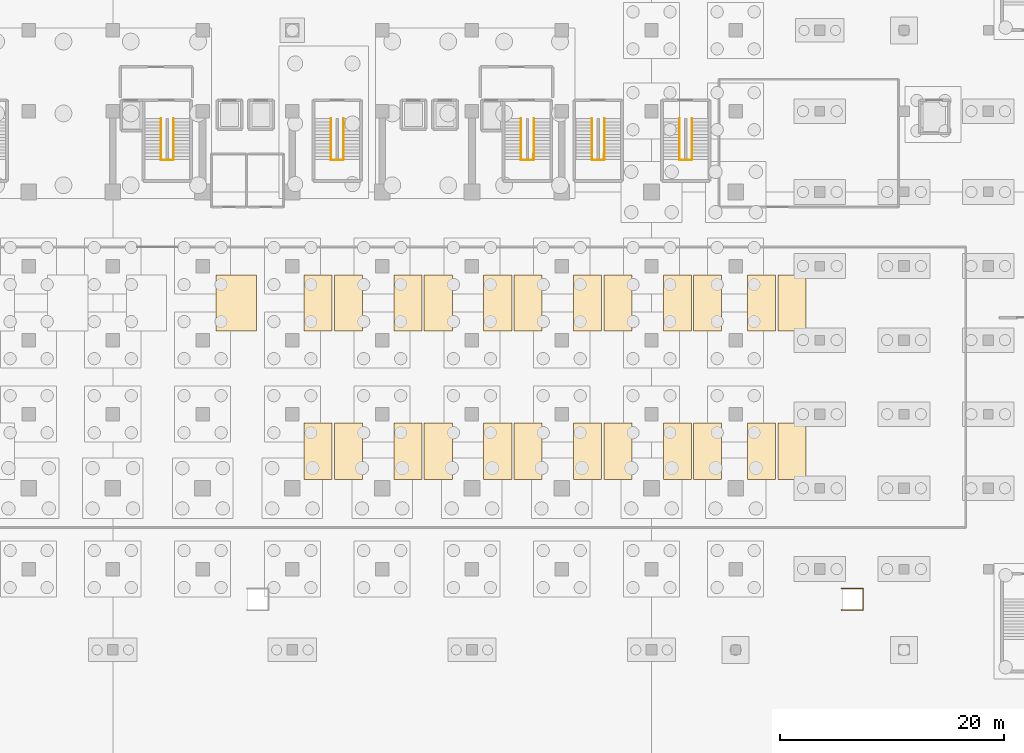
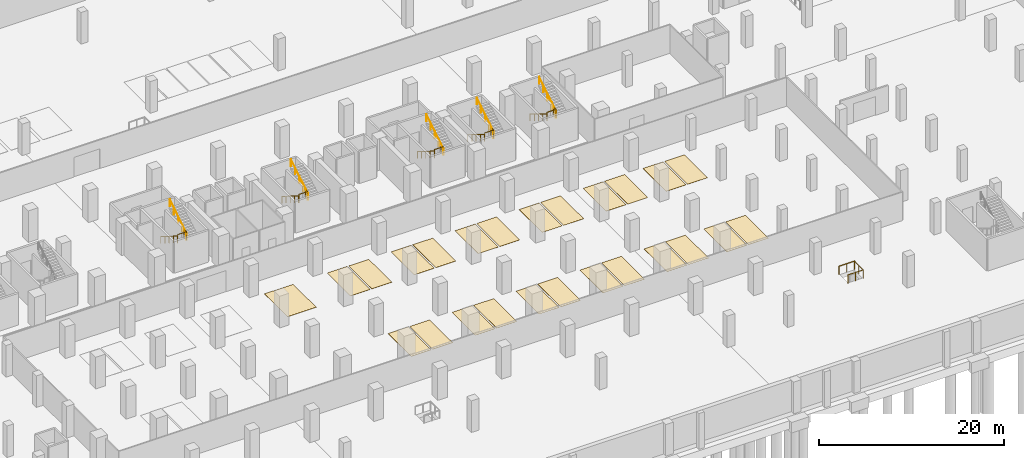
# One storey, part 22 of 26: 25 coverings, 16 railings.
"""IFC4 building model written with IfcOpenShell, lengths in metres."""

from ifc_helpers import new_model, si_unit, direction, frame, origin, origin_2d, place, context, subcontext, project, spatial, rectangle, circle, extrude, material, layer, layer_set, type_object, element, save


model = new_model("IFC4")

# Units and contexts
model_context = context("Model", 3, precision=1e-05, world=origin(), true_north=direction((0.0, 1.0)))
body_context = subcontext(model_context, "Body", "Model", "MODEL_VIEW")
ifc_project = project(units=[si_unit("LENGTHUNIT", "METRE"), si_unit("AREAUNIT", "SQUARE_METRE"), si_unit("VOLUMEUNIT", "CUBIC_METRE"), si_unit("PLANEANGLEUNIT", "RADIAN"), si_unit("MASSUNIT", "GRAM", prefix="KILO")], contexts=[model_context])

# Site, building, storey
site_placement = place(None, origin())
site = spatial("IfcSite", under=ifc_project, at=site_placement, CompositionType="ELEMENT")
building_placement = place(site_placement, origin())
building = spatial("IfcBuilding", under=site, at=building_placement, Name="Akrevak Sports Hall", CompositionType="ELEMENT")
storey_placement = place(building_placement, frame((0.0, 0.0, -9.0)))
storey = spatial("IfcBuildingStorey", under=building, at=storey_placement, Name="B02", CompositionType="ELEMENT", Elevation=-9.0)

# Coverings
ifc_material_1 = material(Name="Slate-Grey Stone Accessible Bay Topping", Category="stone")
ifc_layer_1 = layer(ifc_material_1, 0.014892578125, Name="Slate-Grey Stone Accessible Bay Topping")
ifc_layer_set_1 = layer_set([ifc_layer_1], Name="Slate-Grey Stone Accessible Bay Topping")
covering_type_1 = type_object("IfcCoveringType", Name="ARC-COV-PKBAY-ACC", PredefinedType="FLOORING", material=ifc_layer_set_1)
covering_placement = place(storey_placement, frame((71.0, 45.300048828125, 0.0), z_axis=(0.0, 0.0, 1.0), x_axis=(1.0, 0.0, 0.0)))
element("IfcCovering", 1, at=covering_placement, inside=storey, type_object=covering_type_1, Name="Accessible Parking Bay Marking B02-S03", PredefinedType="FLOORING", context=body_context, shape_type="SweptSolid", body=[
    extrude(rectangle(XDim=3.60009765625, YDim=5.0, at=origin_2d()), origin(), (0.0, 0.0, 1.0), 0.014892578125),
])
ifc_material_2 = material(Name="Polished Terrazzo Bay Topping", Category="stone")
ifc_layer_2 = layer(ifc_material_2, 0.014892578125, Name="Polished Terrazzo Bay Topping")
ifc_layer_set_2 = layer_set([ifc_layer_2], Name="Polished Terrazzo Bay Topping")
covering_type_2 = type_object("IfcCoveringType", Name="ARC-COV-PKBAY-STD", PredefinedType="FLOORING", material=ifc_layer_set_2)
for number, where, z_axis, x_axis, name in (
    (2, (78.300048828125, 32.10009765625, 0.0), (0.0, 0.0, 1.0), (1.0, 0.0, 0.0), "Standard Parking Bay Marking B02-S03"),
    (3, (81.0, 32.10009765625, 0.0), (0.0, 0.0, 1.0), (1.0, 0.0, 0.0), "Standard Parking Bay Marking B02-S04"),
    (4, (86.300048828125, 32.10009765625, 0.0), (0.0, 0.0, 1.0), (1.0, 0.0, 0.0), "Standard Parking Bay Marking B02-S05"),
    (5, (89.0, 32.10009765625, 0.0), (0.0, 0.0, 1.0), (1.0, 0.0, 0.0), "Standard Parking Bay Marking B02-S06"),
    (6, (94.300048828125, 32.10009765625, 0.0), (0.0, 0.0, 1.0), (1.0, 0.0, 0.0), "Standard Parking Bay Marking B02-S07"),
    (7, (97.0, 32.10009765625, 0.0), (0.0, 0.0, 1.0), (1.0, 0.0, 0.0), "Standard Parking Bay Marking B02-S08"),
    (8, (102.300048828125, 32.10009765625, 0.0), (0.0, 0.0, 1.0), (1.0, 0.0, 0.0), "Standard Parking Bay Marking B02-S09"),
    (9, (105.0, 32.10009765625, 0.0), (0.0, 0.0, 1.0), (1.0, 0.0, 0.0), "Standard Parking Bay Marking B02-S10"),
    (10, (110.300048828125, 32.10009765625, 0.0), (0.0, 0.0, 1.0), (1.0, 0.0, 0.0), "Standard Parking Bay Marking B02-S11"),
    (11, (113.0, 32.10009765625, 0.0), (0.0, 0.0, 1.0), (1.0, 0.0, 0.0), "Standard Parking Bay Marking B02-S12"),
    (12, (117.800048828125, 32.10009765625, 0.0), (0.0, 0.0, 1.0), (1.0, 0.0, 0.0), "Standard Parking Bay Marking B02-S13"),
    (13, (120.5, 32.10009765625, 0.0), (0.0, 0.0, 1.0), (1.0, 0.0, 0.0), "Standard Parking Bay Marking B02-S14"),
    (14, (78.300048828125, 45.300048828125, 0.0), (0.0, 0.0, 1.0), (1.0, 0.0, 0.0), "Standard Parking Bay Marking B02-S17"),
    (15, (81.0, 45.300048828125, 0.0), (0.0, 0.0, 1.0), (1.0, 0.0, 0.0), "Standard Parking Bay Marking B02-S18"),
    (16, (86.300048828125, 45.300048828125, 0.0), (0.0, 0.0, 1.0), (1.0, 0.0, 0.0), "Standard Parking Bay Marking B02-S19"),
    (17, (89.0, 45.300048828125, 0.0), (0.0, 0.0, 1.0), (1.0, 0.0, 0.0), "Standard Parking Bay Marking B02-S20"),
    (18, (94.300048828125, 45.300048828125, 0.0), (0.0, 0.0, 1.0), (1.0, 0.0, 0.0), "Standard Parking Bay Marking B02-S21"),
    (19, (97.0, 45.300048828125, 0.0), (0.0, 0.0, 1.0), (1.0, 0.0, 0.0), "Standard Parking Bay Marking B02-S22"),
    (20, (102.300048828125, 45.300048828125, 0.0), (0.0, 0.0, 1.0), (1.0, 0.0, 0.0), "Standard Parking Bay Marking B02-S23"),
    (21, (105.0, 45.300048828125, 0.0), (0.0, 0.0, 1.0), (1.0, 0.0, 0.0), "Standard Parking Bay Marking B02-S24"),
    (22, (110.300048828125, 45.300048828125, 0.0), (0.0, 0.0, 1.0), (1.0, 0.0, 0.0), "Standard Parking Bay Marking B02-S25"),
    (23, (113.0, 45.300048828125, 0.0), (0.0, 0.0, 1.0), (1.0, 0.0, 0.0), "Standard Parking Bay Marking B02-S26"),
    (24, (117.800048828125, 45.300048828125, 0.0), (0.0, 0.0, 1.0), (1.0, 0.0, 0.0), "Standard Parking Bay Marking B02-S27"),
    (25, (120.5, 45.300048828125, 0.0), (0.0, 0.0, 1.0), (1.0, 0.0, 0.0), "Standard Parking Bay Marking B02-S28"),
):
    element("IfcCovering", number, at=place(storey_placement, frame(where, z_axis=z_axis, x_axis=x_axis)), inside=storey, type_object=covering_type_2, Name=name, PredefinedType="FLOORING", context=body_context, shape_type="SweptSolid", body=[
        extrude(rectangle(XDim=2.5, YDim=5.0, at=origin_2d()), origin(), (0.0, 0.0, 1.0), 0.014892578125),
    ])

# Railings
ifc_material_3 = material(Name="Painted Architectural Balustrade Steel", Category="steel")
ifc_layer_3 = layer(ifc_material_3, 0.06005859375, Name="Painted Architectural Balustrade Steel")
ifc_layer_set_3 = layer_set([ifc_layer_3], Name="Painted Architectural Balustrade Steel")
railing_type_1 = type_object("IfcRailingType", Name="ARC-RL-GRD-1120", PredefinedType="GUARDRAIL", material=ifc_layer_set_3)
railing_1_placement = place(storey_placement, frame((64.280029296875, 58.06494140625, 2.25)))
element("IfcRailing", 26, at=railing_1_placement, inside=storey, type_object=railing_type_1, Name="Stair Landing Well Guard ST1-B02-1", PredefinedType="GUARDRAIL", context=body_context, shape_type="SweptSolid", body=[
    extrude(circle(Radius=0.02392578125, at=origin_2d()), frame((0.0, 0.0, 1.09619140625), z_axis=(1.0, 0.0, 0.0), x_axis=(0.0, 1.0, 0.0)), (0.0, 0.0, 1.0), 1.10986328125),
    extrude(circle(Radius=0.02392578125, at=origin_2d()), frame((1.10986328125, 0.0, 1.09619140625), z_axis=(0.0, 1.0, 0.0), x_axis=(-1.0, 0.0, 0.0)), (0.0, 0.0, 1.0), 0.52001953125),
    extrude(circle(Radius=0.02099609375, at=origin_2d()), origin(), (0.0, 0.0, 1.0), 1.072021484375),
    extrude(circle(Radius=0.02099609375, at=origin_2d()), frame((1.10986328125, 0.0, 0.0)), (0.0, 0.0, 1.0), 1.072021484375),
    extrude(circle(Radius=0.02099609375, at=origin_2d()), frame((1.10986328125, 0.52001953125, 0.0)), (0.0, 0.0, 1.0), 1.072021484375),
])
for number, where, name in (
    (27, (96.3798828125, 58.06494140625, 2.25), "Stair Landing Well Guard ST2-B02-1"),
    (28, (79.429931640625, 58.06494140625, 2.25), "Stair Landing Well Guard ST3-B02-1"),
    (29, (102.679931640625, 58.06494140625, 2.25), "Stair Landing Well Guard ST10-B02-1"),
    (30, (110.47998046875, 58.06494140625, 2.25), "Stair Landing Well Guard ST11-B02-1"),
):
    element("IfcRailing", number, at=place(storey_placement, frame(where)), inside=storey, type_object=railing_type_1, Name=name, PredefinedType="GUARDRAIL", context=body_context, shape_type="SweptSolid", body=[
        extrude(circle(Radius=0.02392578125, at=origin_2d()), frame((0.0, 0.0, 1.09619140625), z_axis=(1.0, 0.0, 0.0), x_axis=(0.0, 1.0, 0.0)), (0.0, 0.0, 1.0), 1.110107421875),
        extrude(circle(Radius=0.02392578125, at=origin_2d()), frame((1.110107421875, 0.0, 1.09619140625), z_axis=(0.0, 1.0, 0.0), x_axis=(-1.0, 0.0, 0.0)), (0.0, 0.0, 1.0), 0.52001953125),
        extrude(circle(Radius=0.02099609375, at=origin_2d()), origin(), (0.0, 0.0, 1.0), 1.072021484375),
        extrude(circle(Radius=0.02099609375, at=origin_2d()), frame((1.110107421875, 0.0, 0.0)), (0.0, 0.0, 1.0), 1.072021484375),
        extrude(circle(Radius=0.02099609375, at=origin_2d()), frame((1.110107421875, 0.52001953125, 0.0)), (0.0, 0.0, 1.0), 1.072021484375),
    ])
railing_2_placement = place(storey_placement, frame((124.93994140625, 17.93994140625, 0.0)))
element("IfcRailing", 31, at=railing_2_placement, inside=storey, type_object=railing_type_1, Name="B02 Sump Pit Safety Guardrail 5", PredefinedType="GUARDRAIL", context=body_context, shape_type="SweptSolid", body=[
    extrude(circle(Radius=0.02392578125, at=origin_2d()), frame((0.0, 0.0, 1.09619140625), z_axis=(1.0, 0.0, 0.0), x_axis=(0.0, 1.0, 0.0)), (0.0, 0.0, 1.0), 1.920166015625),
    extrude(circle(Radius=0.02392578125, at=origin_2d()), frame((1.920166015625, 0.0, 1.09619140625), z_axis=(0.0, 1.0, 0.0), x_axis=(-1.0, 0.0, 0.0)), (0.0, 0.0, 1.0), 1.920166015625),
    extrude(circle(Radius=0.02392578125, at=origin_2d()), frame((1.920166015625, 1.920166015625, 1.09619140625), z_axis=(-1.0, 0.0, 0.0), x_axis=(0.0, -1.0, 0.0)), (0.0, 0.0, 1.0), 1.920166015625),
    extrude(circle(Radius=0.02099609375, at=origin_2d()), origin(), (0.0, 0.0, 1.0), 1.072021484375),
    extrude(circle(Radius=0.02099609375, at=origin_2d()), frame((0.9599609375, 0.0, 0.0)), (0.0, 0.0, 1.0), 1.072021484375),
    extrude(circle(Radius=0.02099609375, at=origin_2d()), frame((1.920166015625, 0.0, 0.0)), (0.0, 0.0, 1.0), 1.072021484375),
    extrude(circle(Radius=0.02099609375, at=origin_2d()), frame((1.920166015625, 0.9599609375, 0.0)), (0.0, 0.0, 1.0), 1.072021484375),
    extrude(circle(Radius=0.02099609375, at=origin_2d()), frame((1.920166015625, 1.920166015625, 0.0)), (0.0, 0.0, 1.0), 1.072021484375),
    extrude(circle(Radius=0.02099609375, at=origin_2d()), frame((0.9599609375, 1.920166015625, 0.0)), (0.0, 0.0, 1.0), 1.072021484375),
    extrude(circle(Radius=0.02099609375, at=origin_2d()), frame((0.0, 1.920166015625, 0.0)), (0.0, 0.0, 1.0), 1.072021484375),
])
ifc_material_4 = material(Name="Brushed Stainless Steel 304", Category="steel")
ifc_layer_4 = layer(ifc_material_4, 0.050048828125, Name="Brushed Stainless Steel 304")
ifc_layer_set_4 = layer_set([ifc_layer_4], Name="Brushed Stainless Steel 304")
railing_type_2 = type_object("IfcRailingType", Name="ARC-RL-HND-900", PredefinedType="HANDRAIL", material=ifc_layer_set_4)
railing_3_placement = place(storey_placement, frame((64.280029296875, 61.735107421875, 0.0)))
element("IfcRailing", 32, at=railing_3_placement, inside=storey, type_object=railing_type_2, Name="Stair Handrail ST1-B02-F1", PredefinedType="HANDRAIL", context=body_context, shape_type="SweptSolid", body=[
    extrude(circle(Radius=0.02392578125, at=origin_2d()), frame((0.0, 0.0, 0.8759765625), z_axis=(0.0, -0.850622404505, 0.525777067734), x_axis=(1.0, 0.0, 0.0)), (0.0, 0.0, 1.0), 4.279296875),
    extrude(circle(Radius=0.02099609375, at=origin_2d()), origin(), (0.0, 0.0, 1.0), 0.851806640625),
    extrude(circle(Radius=0.02099609375, at=origin_2d()), frame((0.0, -0.91015625, 0.5625)), (0.0, 0.0, 1.0), 0.851806640625),
    extrude(circle(Radius=0.02099609375, at=origin_2d()), frame((0.0, -1.820068359375, 1.125)), (0.0, 0.0, 1.0), 0.851806640625),
    extrude(circle(Radius=0.02099609375, at=origin_2d()), frame((0.0, -2.72998046875, 1.6875)), (0.0, 0.0, 1.0), 0.851806640625),
    extrude(circle(Radius=0.02099609375, at=origin_2d()), frame((0.0, -3.64013671875, 2.25)), (0.0, 0.0, 1.0), 0.851806640625),
])
railing_4_placement = place(storey_placement, frame((65.419921875, 58.094970703125, 2.25)))
element("IfcRailing", 33, at=railing_4_placement, inside=storey, type_object=railing_type_2, Name="Stair Handrail ST1-B02-F2", PredefinedType="HANDRAIL", context=body_context, shape_type="SweptSolid", body=[
    extrude(circle(Radius=0.02392578125, at=origin_2d()), frame((0.0, 0.0, 0.8759765625), z_axis=(0.0, 0.850622404505, 0.525777067734), x_axis=(-1.0, 0.0, 0.0)), (0.0, 0.0, 1.0), 4.279296875),
    extrude(circle(Radius=0.02099609375, at=origin_2d()), origin(), (0.0, 0.0, 1.0), 0.851806640625),
    extrude(circle(Radius=0.02099609375, at=origin_2d()), frame((0.0, 0.91015625, 0.5625)), (0.0, 0.0, 1.0), 0.851806640625),
    extrude(circle(Radius=0.02099609375, at=origin_2d()), frame((0.0, 1.820068359375, 1.125)), (0.0, 0.0, 1.0), 0.851806640625),
    extrude(circle(Radius=0.02099609375, at=origin_2d()), frame((0.0, 2.72998046875, 1.6875)), (0.0, 0.0, 1.0), 0.851806640625),
    extrude(circle(Radius=0.02099609375, at=origin_2d()), frame((0.0, 3.64013671875, 2.25)), (0.0, 0.0, 1.0), 0.851806640625),
])
railing_5_placement = place(storey_placement, frame((96.3798828125, 61.735107421875, 0.0)))
element("IfcRailing", 34, at=railing_5_placement, inside=storey, type_object=railing_type_2, Name="Stair Handrail ST2-B02-F1", PredefinedType="HANDRAIL", context=body_context, shape_type="SweptSolid", body=[
    extrude(circle(Radius=0.02392578125, at=origin_2d()), frame((0.0, 0.0, 0.8759765625), z_axis=(0.0, -0.850622404505, 0.525777067734), x_axis=(1.0, 0.0, 0.0)), (0.0, 0.0, 1.0), 4.279296875),
    extrude(circle(Radius=0.02099609375, at=origin_2d()), origin(), (0.0, 0.0, 1.0), 0.851806640625),
    extrude(circle(Radius=0.02099609375, at=origin_2d()), frame((0.0, -0.91015625, 0.5625)), (0.0, 0.0, 1.0), 0.851806640625),
    extrude(circle(Radius=0.02099609375, at=origin_2d()), frame((0.0, -1.820068359375, 1.125)), (0.0, 0.0, 1.0), 0.851806640625),
    extrude(circle(Radius=0.02099609375, at=origin_2d()), frame((0.0, -2.72998046875, 1.6875)), (0.0, 0.0, 1.0), 0.851806640625),
    extrude(circle(Radius=0.02099609375, at=origin_2d()), frame((0.0, -3.64013671875, 2.25)), (0.0, 0.0, 1.0), 0.851806640625),
])
railing_6_placement = place(storey_placement, frame((97.52001953125, 58.094970703125, 2.25)))
element("IfcRailing", 35, at=railing_6_placement, inside=storey, type_object=railing_type_2, Name="Stair Handrail ST2-B02-F2", PredefinedType="HANDRAIL", context=body_context, shape_type="SweptSolid", body=[
    extrude(circle(Radius=0.02392578125, at=origin_2d()), frame((0.0, 0.0, 0.8759765625), z_axis=(0.0, 0.850622404505, 0.525777067734), x_axis=(-1.0, 0.0, 0.0)), (0.0, 0.0, 1.0), 4.279296875),
    extrude(circle(Radius=0.02099609375, at=origin_2d()), origin(), (0.0, 0.0, 1.0), 0.851806640625),
    extrude(circle(Radius=0.02099609375, at=origin_2d()), frame((0.0, 0.91015625, 0.5625)), (0.0, 0.0, 1.0), 0.851806640625),
    extrude(circle(Radius=0.02099609375, at=origin_2d()), frame((0.0, 1.820068359375, 1.125)), (0.0, 0.0, 1.0), 0.851806640625),
    extrude(circle(Radius=0.02099609375, at=origin_2d()), frame((0.0, 2.72998046875, 1.6875)), (0.0, 0.0, 1.0), 0.851806640625),
    extrude(circle(Radius=0.02099609375, at=origin_2d()), frame((0.0, 3.64013671875, 2.25)), (0.0, 0.0, 1.0), 0.851806640625),
])
railing_7_placement = place(storey_placement, frame((79.429931640625, 61.735107421875, 0.0)))
element("IfcRailing", 36, at=railing_7_placement, inside=storey, type_object=railing_type_2, Name="Stair Handrail ST3-B02-F1", PredefinedType="HANDRAIL", context=body_context, shape_type="SweptSolid", body=[
    extrude(circle(Radius=0.02392578125, at=origin_2d()), frame((0.0, 0.0, 0.8759765625), z_axis=(0.0, -0.850622404505, 0.525777067734), x_axis=(1.0, 0.0, 0.0)), (0.0, 0.0, 1.0), 4.279296875),
    extrude(circle(Radius=0.02099609375, at=origin_2d()), origin(), (0.0, 0.0, 1.0), 0.851806640625),
    extrude(circle(Radius=0.02099609375, at=origin_2d()), frame((0.0, -0.91015625, 0.5625)), (0.0, 0.0, 1.0), 0.851806640625),
    extrude(circle(Radius=0.02099609375, at=origin_2d()), frame((0.0, -1.820068359375, 1.125)), (0.0, 0.0, 1.0), 0.851806640625),
    extrude(circle(Radius=0.02099609375, at=origin_2d()), frame((0.0, -2.72998046875, 1.6875)), (0.0, 0.0, 1.0), 0.851806640625),
    extrude(circle(Radius=0.02099609375, at=origin_2d()), frame((0.0, -3.64013671875, 2.25)), (0.0, 0.0, 1.0), 0.851806640625),
])
railing_8_placement = place(storey_placement, frame((80.570068359375, 58.094970703125, 2.25)))
element("IfcRailing", 37, at=railing_8_placement, inside=storey, type_object=railing_type_2, Name="Stair Handrail ST3-B02-F2", PredefinedType="HANDRAIL", context=body_context, shape_type="SweptSolid", body=[
    extrude(circle(Radius=0.02392578125, at=origin_2d()), frame((0.0, 0.0, 0.8759765625), z_axis=(0.0, 0.850622404505, 0.525777067734), x_axis=(-1.0, 0.0, 0.0)), (0.0, 0.0, 1.0), 4.279296875),
    extrude(circle(Radius=0.02099609375, at=origin_2d()), origin(), (0.0, 0.0, 1.0), 0.851806640625),
    extrude(circle(Radius=0.02099609375, at=origin_2d()), frame((0.0, 0.91015625, 0.5625)), (0.0, 0.0, 1.0), 0.851806640625),
    extrude(circle(Radius=0.02099609375, at=origin_2d()), frame((0.0, 1.820068359375, 1.125)), (0.0, 0.0, 1.0), 0.851806640625),
    extrude(circle(Radius=0.02099609375, at=origin_2d()), frame((0.0, 2.72998046875, 1.6875)), (0.0, 0.0, 1.0), 0.851806640625),
    extrude(circle(Radius=0.02099609375, at=origin_2d()), frame((0.0, 3.64013671875, 2.25)), (0.0, 0.0, 1.0), 0.851806640625),
])
railing_9_placement = place(storey_placement, frame((102.679931640625, 61.735107421875, 0.0)))
element("IfcRailing", 38, at=railing_9_placement, inside=storey, type_object=railing_type_2, Name="Stair Handrail ST10-B02-F1", PredefinedType="HANDRAIL", context=body_context, shape_type="SweptSolid", body=[
    extrude(circle(Radius=0.02392578125, at=origin_2d()), frame((0.0, 0.0, 0.8759765625), z_axis=(0.0, -0.850622404505, 0.525777067734), x_axis=(1.0, 0.0, 0.0)), (0.0, 0.0, 1.0), 4.279296875),
    extrude(circle(Radius=0.02099609375, at=origin_2d()), origin(), (0.0, 0.0, 1.0), 0.851806640625),
    extrude(circle(Radius=0.02099609375, at=origin_2d()), frame((0.0, -0.91015625, 0.5625)), (0.0, 0.0, 1.0), 0.851806640625),
    extrude(circle(Radius=0.02099609375, at=origin_2d()), frame((0.0, -1.820068359375, 1.125)), (0.0, 0.0, 1.0), 0.851806640625),
    extrude(circle(Radius=0.02099609375, at=origin_2d()), frame((0.0, -2.72998046875, 1.6875)), (0.0, 0.0, 1.0), 0.851806640625),
    extrude(circle(Radius=0.02099609375, at=origin_2d()), frame((0.0, -3.64013671875, 2.25)), (0.0, 0.0, 1.0), 0.851806640625),
])
railing_10_placement = place(storey_placement, frame((103.820068359375, 58.094970703125, 2.25)))
element("IfcRailing", 39, at=railing_10_placement, inside=storey, type_object=railing_type_2, Name="Stair Handrail ST10-B02-F2", PredefinedType="HANDRAIL", context=body_context, shape_type="SweptSolid", body=[
    extrude(circle(Radius=0.02392578125, at=origin_2d()), frame((0.0, 0.0, 0.8759765625), z_axis=(0.0, 0.850622404505, 0.525777067734), x_axis=(-1.0, 0.0, 0.0)), (0.0, 0.0, 1.0), 4.279296875),
    extrude(circle(Radius=0.02099609375, at=origin_2d()), origin(), (0.0, 0.0, 1.0), 0.851806640625),
    extrude(circle(Radius=0.02099609375, at=origin_2d()), frame((0.0, 0.91015625, 0.5625)), (0.0, 0.0, 1.0), 0.851806640625),
    extrude(circle(Radius=0.02099609375, at=origin_2d()), frame((0.0, 1.820068359375, 1.125)), (0.0, 0.0, 1.0), 0.851806640625),
    extrude(circle(Radius=0.02099609375, at=origin_2d()), frame((0.0, 2.72998046875, 1.6875)), (0.0, 0.0, 1.0), 0.851806640625),
    extrude(circle(Radius=0.02099609375, at=origin_2d()), frame((0.0, 3.64013671875, 2.25)), (0.0, 0.0, 1.0), 0.851806640625),
])
railing_11_placement = place(storey_placement, frame((110.47998046875, 61.735107421875, 0.0)))
element("IfcRailing", 40, at=railing_11_placement, inside=storey, type_object=railing_type_2, Name="Stair Handrail ST11-B02-F1", PredefinedType="HANDRAIL", context=body_context, shape_type="SweptSolid", body=[
    extrude(circle(Radius=0.02392578125, at=origin_2d()), frame((0.0, 0.0, 0.8759765625), z_axis=(0.0, -0.850622404505, 0.525777067734), x_axis=(1.0, 0.0, 0.0)), (0.0, 0.0, 1.0), 4.279296875),
    extrude(circle(Radius=0.02099609375, at=origin_2d()), origin(), (0.0, 0.0, 1.0), 0.851806640625),
    extrude(circle(Radius=0.02099609375, at=origin_2d()), frame((0.0, -0.91015625, 0.5625)), (0.0, 0.0, 1.0), 0.851806640625),
    extrude(circle(Radius=0.02099609375, at=origin_2d()), frame((0.0, -1.820068359375, 1.125)), (0.0, 0.0, 1.0), 0.851806640625),
    extrude(circle(Radius=0.02099609375, at=origin_2d()), frame((0.0, -2.72998046875, 1.6875)), (0.0, 0.0, 1.0), 0.851806640625),
    extrude(circle(Radius=0.02099609375, at=origin_2d()), frame((0.0, -3.64013671875, 2.25)), (0.0, 0.0, 1.0), 0.851806640625),
])
railing_12_placement = place(storey_placement, frame((111.6201171875, 58.094970703125, 2.25)))
element("IfcRailing", 41, at=railing_12_placement, inside=storey, type_object=railing_type_2, Name="Stair Handrail ST11-B02-F2", PredefinedType="HANDRAIL", context=body_context, shape_type="SweptSolid", body=[
    extrude(circle(Radius=0.02392578125, at=origin_2d()), frame((0.0, 0.0, 0.8759765625), z_axis=(0.0, 0.850622404505, 0.525777067734), x_axis=(-1.0, 0.0, 0.0)), (0.0, 0.0, 1.0), 4.279296875),
    extrude(circle(Radius=0.02099609375, at=origin_2d()), origin(), (0.0, 0.0, 1.0), 0.851806640625),
    extrude(circle(Radius=0.02099609375, at=origin_2d()), frame((0.0, 0.91015625, 0.5625)), (0.0, 0.0, 1.0), 0.851806640625),
    extrude(circle(Radius=0.02099609375, at=origin_2d()), frame((0.0, 1.820068359375, 1.125)), (0.0, 0.0, 1.0), 0.851806640625),
    extrude(circle(Radius=0.02099609375, at=origin_2d()), frame((0.0, 2.72998046875, 1.6875)), (0.0, 0.0, 1.0), 0.851806640625),
    extrude(circle(Radius=0.02099609375, at=origin_2d()), frame((0.0, 3.64013671875, 2.25)), (0.0, 0.0, 1.0), 0.851806640625),
])

save(model, "model.ifc")
